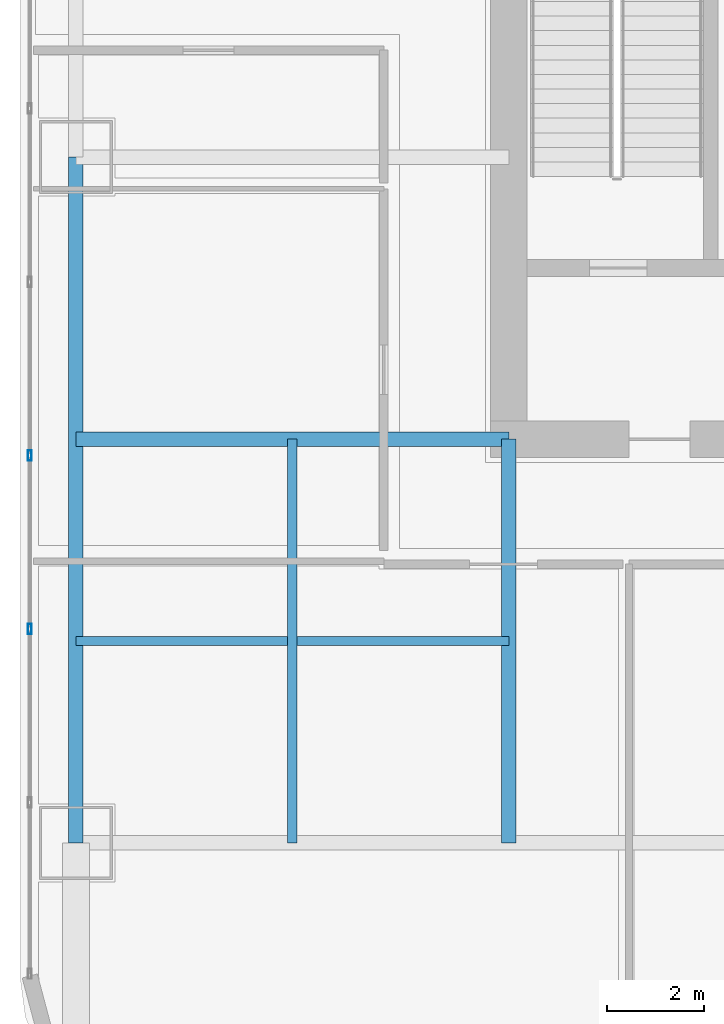
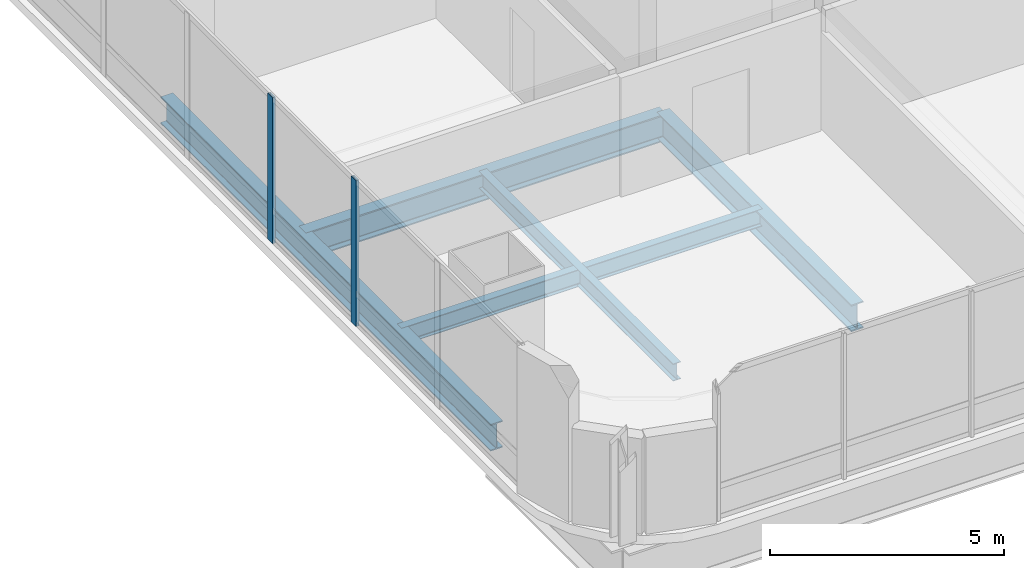
# One storey, part 3 of 40: 5 beams, 2 members, 1 element without a shape of its own.
"""IFC4 building model written with IfcOpenShell, lengths in metres."""

from ifc_helpers import new_model, si_unit, direction, frame, origin, origin_2d, place, context, subcontext, project, spatial, hollow_rectangle, i_section, extrude, material, material_profile, profile_set, type_object, element, aggregate, save


model = new_model("IFC4")

# Units and contexts
model_context = context("Model", 3, precision=1e-05, world=origin(), true_north=direction((0.0, 1.0)))
body_context = subcontext(model_context, "Body", "Model", "MODEL_VIEW")
ifc_project = project(units=[si_unit("LENGTHUNIT", "METRE"), si_unit("AREAUNIT", "SQUARE_METRE"), si_unit("VOLUMEUNIT", "CUBIC_METRE"), si_unit("PLANEANGLEUNIT", "RADIAN"), si_unit("MASSUNIT", "GRAM", prefix="KILO")], contexts=[model_context])

# Site, building, storey
site_placement = place(None, origin())
site = spatial("IfcSite", under=ifc_project, at=site_placement, CompositionType="ELEMENT")
building_placement = place(site_placement, origin())
building = spatial("IfcBuilding", under=site, at=building_placement, Name="Punatoya Terracotta Tower", CompositionType="ELEMENT")
storey_placement = place(building_placement, frame((0.0, 0.0, 76.800048828125)))
storey = spatial("IfcBuildingStorey", under=building, at=storey_placement, Name="L17", CompositionType="ELEMENT", Elevation=76.800048828125)

# Beams
ifc_material_1 = material(Name="Steel S355", Category="steel")
ifc_material_profile_1 = material_profile(ifc_material_1, i_section(OverallWidth=0.300048828125, OverallDepth=0.699951171875, WebThickness=0.01708984375, FlangeThickness=0.031982421875, FilletRadius=0.01806640625, at=origin_2d()))
ifc_profile_set_1 = profile_set([ifc_material_profile_1], Name="Steel S355")
beam_type_1 = type_object("IfcBeamType", Name="BM-PRI-700", PredefinedType="BEAM", material=ifc_profile_set_1)
beam_1_placement = place(storey_placement, frame((-19.10009765625, -17.5, -0.590087890625), z_axis=(0.0, 1.0, 0.0), x_axis=(-1.0, 0.0, 0.0)))
element("IfcBeam", 1, at=beam_1_placement, inside=storey, type_object=beam_type_1, Name="BM-L17-RG-W1", PredefinedType="BEAM", context=body_context, shape_type="SweptSolid", body=[
    extrude(i_section(OverallWidth=0.300048828125, OverallDepth=0.699951171875, WebThickness=0.01708984375, FlangeThickness=0.031982421875, FilletRadius=0.01806640625, at=origin_2d()), origin(), (0.0, 0.0, 1.0), 14.10009765625),
])
beam_2_placement = place(storey_placement, frame((-19.10009765625, -9.199951171875, -0.590087890625), z_axis=(1.0, 0.0, 0.0), x_axis=(0.0, 1.0, 0.0)))
element("IfcBeam", 2, at=beam_2_placement, inside=storey, type_object=beam_type_1, Name="BM-L17-PR-WS", PredefinedType="BEAM", context=body_context, shape_type="SweptSolid", body=[
    extrude(i_section(OverallWidth=0.300048828125, OverallDepth=0.699951171875, WebThickness=0.01708984375, FlangeThickness=0.031982421875, FilletRadius=0.01806640625, at=origin_2d()), origin(), (0.0, 0.0, 1.0), 8.900146484375),
])
beam_3_placement = place(storey_placement, frame((-10.199951171875, -17.5, -0.590087890625), z_axis=(0.0, 1.0, 0.0), x_axis=(-1.0, 0.0, 0.0)))
element("IfcBeam", 3, at=beam_3_placement, inside=storey, type_object=beam_type_1, Name="BM-L17-PR-S1", PredefinedType="BEAM", context=body_context, shape_type="SweptSolid", body=[
    extrude(i_section(OverallWidth=0.300048828125, OverallDepth=0.699951171875, WebThickness=0.01708984375, FlangeThickness=0.031982421875, FilletRadius=0.01806640625, at=origin_2d()), origin(), (0.0, 0.0, 1.0), 8.300048828125),
])
ifc_material_profile_2 = material_profile(ifc_material_1, i_section(OverallWidth=0.18994140625, OverallDepth=0.449951171875, WebThickness=0.009521484375, FlangeThickness=0.0146484375, FilletRadius=0.01806640625, at=origin_2d()))
ifc_profile_set_2 = profile_set([ifc_material_profile_2], Name="Steel S355")
beam_type_2 = type_object("IfcBeamType", Name="BM-SEC-450", PredefinedType="JOIST", material=ifc_profile_set_2)
beam_4_placement = place(storey_placement, frame((-19.10009765625, -13.35009765625, -0.465087890625), z_axis=(1.0, 0.0, 0.0), x_axis=(0.0, 1.0, 0.0)))
element("IfcBeam", 4, at=beam_4_placement, inside=storey, type_object=beam_type_2, Name="BM-L17-SJS-1", PredefinedType="JOIST", context=body_context, shape_type="SweptSolid", body=[
    extrude(i_section(OverallWidth=0.18994140625, OverallDepth=0.449951171875, WebThickness=0.009521484375, FlangeThickness=0.0146484375, FilletRadius=0.01806640625, at=origin_2d()), origin(), (0.0, 0.0, 1.0), 8.900146484375),
])
beam_5_placement = place(storey_placement, frame((-14.64990234375, -17.5, -0.465087890625), z_axis=(0.0, 1.0, 0.0), x_axis=(-1.0, 0.0, 0.0)))
element("IfcBeam", 5, at=beam_5_placement, inside=storey, type_object=beam_type_2, Name="BM-L17-SJW-1", PredefinedType="JOIST", context=body_context, shape_type="SweptSolid", body=[
    extrude(i_section(OverallWidth=0.18994140625, OverallDepth=0.449951171875, WebThickness=0.009521484375, FlangeThickness=0.0146484375, FilletRadius=0.01806640625, at=origin_2d()), origin(), (0.0, 0.0, 1.0), 8.300048828125),
])

# Curtain wall, members
ifc_material_2 = material(Name="Aluminium 6063-T6 + Double Low-E Glass", Category="aluminium")
curtain_wall_type = type_object("IfcCurtainWallType", Name="CW-M1", PredefinedType="NOTDEFINED", material=ifc_material_2)
curtain_wall_placement = place(storey_placement, origin())
curtain_wall = element("IfcCurtainWall", 6, at=curtain_wall_placement, inside=storey, type_object=curtain_wall_type, Name="L17 Curtain Wall CW-L17-W13-1", PredefinedType="NOTDEFINED")
ifc_material_3 = material(Name="Aluminium 6063-T6", Category="aluminium")
ifc_material_profile_3 = material_profile(ifc_material_3, hollow_rectangle(XDim=0.074951171875, YDim=0.2099609375, WallThickness=0.00439453125, at=origin_2d()))
ifc_profile_set_3 = profile_set([ifc_material_profile_3], Name="Aluminium 6063-T6")
member_type = type_object("IfcMemberType", Name="CW-MUL-M1", PredefinedType="MULLION", material=ifc_profile_set_3)
member_1_placement = place(storey_placement, frame((-20.050048828125, -9.534912109375, 0.0), z_axis=(0.0, 0.0, 1.0), x_axis=(1.0, 0.0, 0.0)))
member_1 = element("IfcMember", 7, at=member_1_placement, type_object=member_type, Name="CW-L17-W13-1 Mullion 07", PredefinedType="MULLION", context=body_context, shape_type="SweptSolid", body=[
    extrude(hollow_rectangle(XDim=0.074951171875, YDim=0.2099609375, WallThickness=0.00439453125, at=origin_2d()), origin(), (0.0, 0.0, 1.0), 3.81005859375),
])
member_2_placement = place(storey_placement, frame((-20.050048828125, -13.10205078125, 0.0), z_axis=(0.0, 0.0, 1.0), x_axis=(1.0, 0.0, 0.0)))
member_2 = element("IfcMember", 8, at=member_2_placement, type_object=member_type, Name="CW-L17-W13-1 Mullion 08", PredefinedType="MULLION", context=body_context, shape_type="SweptSolid", body=[
    extrude(hollow_rectangle(XDim=0.074951171875, YDim=0.2099609375, WallThickness=0.00439453125, at=origin_2d()), origin(), (0.0, 0.0, 1.0), 3.81005859375),
])
aggregate(curtain_wall, [member_1, member_2])

save(model, "model.ifc")
